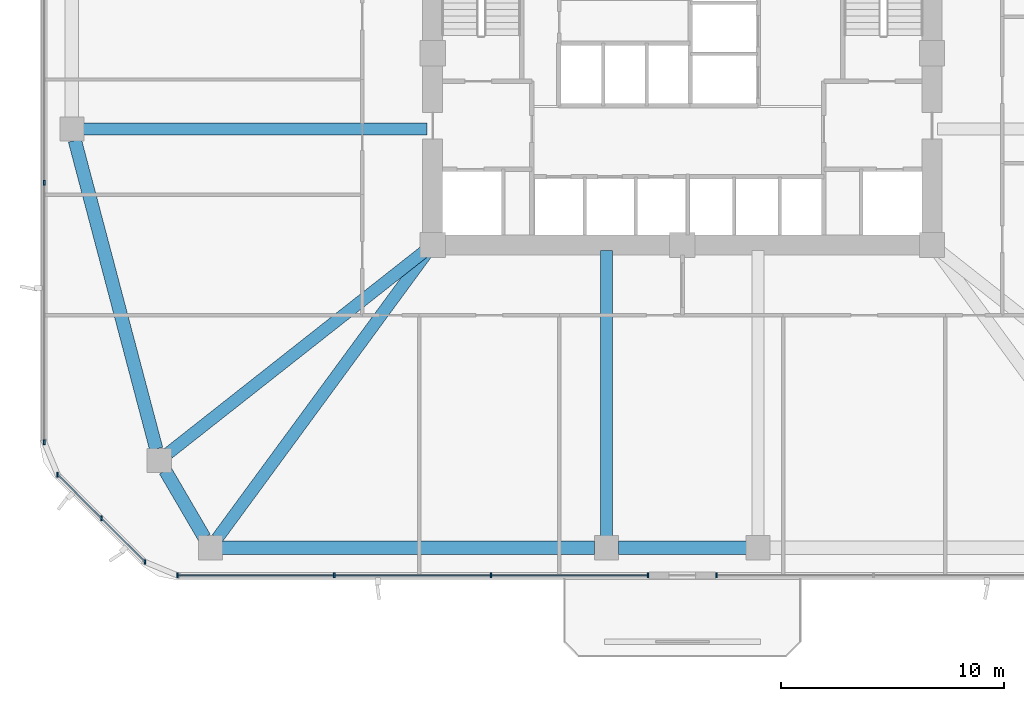
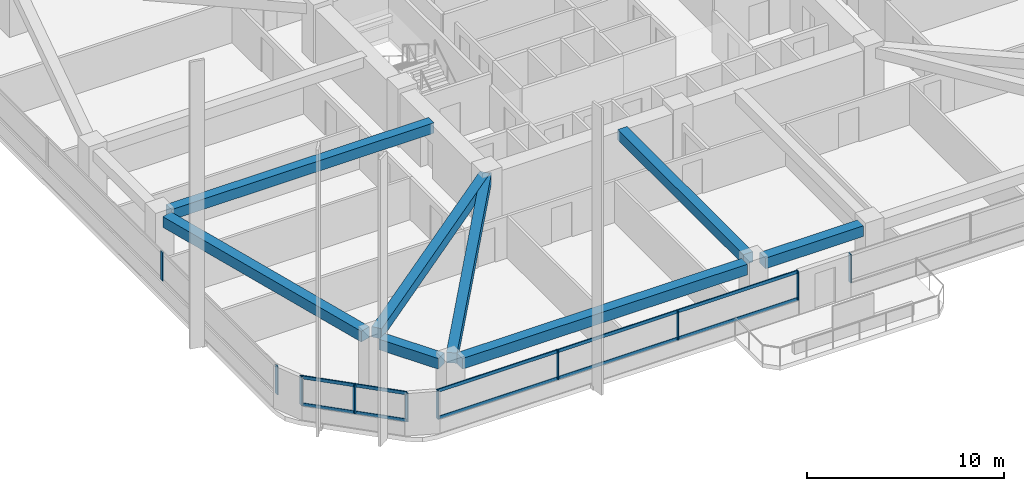
# One storey, part 2 of 17: 14 members, 8 beams, 4 elements without a shape of their own.
"""IFC4 building model written with IfcOpenShell, lengths in metres."""

from ifc_helpers import new_model, si_unit, derived_unit, direction, frame, origin, origin_2d, place, context, subcontext, project, spatial, rectangle, extrude, material, material_profile, profile_set, type_object, element, aggregate, save


model = new_model("IFC4")

# Units and contexts
model_context = context("Model", 3, precision=1e-05, world=origin(), true_north=direction((0.0, 1.0)))
body_context = subcontext(model_context, "Body", "Model", "MODEL_VIEW")
ifc_project = project(units=[si_unit("LENGTHUNIT", "METRE"), si_unit("AREAUNIT", "SQUARE_METRE"), si_unit("VOLUMEUNIT", "CUBIC_METRE"), si_unit("PLANEANGLEUNIT", "RADIAN"), si_unit("MASSUNIT", "GRAM", prefix="KILO"), derived_unit("THERMALTRANSMITTANCEUNIT", [(si_unit("POWERUNIT", "WATT"), 1), (si_unit("LENGTHUNIT", "METRE"), -2), (si_unit("THERMODYNAMICTEMPERATUREUNIT", "KELVIN"), -1)])], contexts=[model_context])

# Site, building, storey
site_placement = place(None, origin())
site = spatial("IfcSite", under=ifc_project, at=site_placement, CompositionType="ELEMENT")
building_placement = place(site_placement, origin())
building = spatial("IfcBuilding", under=site, at=building_placement, Name="Koralith Skygarden Medical Center", CompositionType="ELEMENT")
storey_placement = place(building_placement, frame((0.0, 0.0, 67.139892578125)))
storey = spatial("IfcBuildingStorey", under=building, at=storey_placement, Name="L17", CompositionType="ELEMENT", Elevation=67.139892578125)

# Curtain wall, members
ifc_material_1 = material(Name="Clear Laminated Glass", Category="glass")
curtain_wall_type = type_object("IfcCurtainWallType", Name="CW-2 Zone 1 Hurricane Unitised Curtain Wall", PredefinedType="NOTDEFINED", material=ifc_material_1)
curtain_wall_1_placement = place(storey_placement, origin())
curtain_wall_1 = element("IfcCurtainWall", 1, at=curtain_wall_1_placement, inside=storey, type_object=curtain_wall_type, Name="Curtain Wall CW-L17-S-L", PredefinedType="NOTDEFINED")
ifc_material_2 = material(Name="Aluminium 6063-T6", Category="aluminium")
ifc_material_profile_1 = material_profile(ifc_material_2, rectangle(XDim=0.071044921875, YDim=0.219970703125, at=origin_2d()), Name="MUL71X220")
ifc_profile_set_1 = profile_set([ifc_material_profile_1], Name="Aluminium 6063-T6")
member_type_1 = type_object("IfcMemberType", Name="CW-2 Extruded Mullion 71x220", PredefinedType="MULLION", material=ifc_profile_set_1)
member_1_placement = place(storey_placement, frame((14.35498046875, 2.47998046875, 0.85009765625), z_axis=(0.0, 0.0, 1.0), x_axis=(1.0, 0.0, 0.0)))
member_1 = element("IfcMember", 2, at=member_1_placement, type_object=member_type_1, Name="CW-L17-S-L Mullion 1", PredefinedType="MULLION", context=body_context, shape_type="SweptSolid", body=[
    extrude(rectangle(XDim=0.071044921875, YDim=0.219970703125, at=origin_2d()), origin(), (0.0, 0.0, 1.0), 1.780029296875),
])
member_2_placement = place(storey_placement, frame((21.389892578125, 2.47998046875, 0.85009765625), z_axis=(0.0, 0.0, 1.0), x_axis=(1.0, 0.0, 0.0)))
member_2 = element("IfcMember", 3, at=member_2_placement, type_object=member_type_1, Name="CW-L17-S-L Mullion 2", PredefinedType="MULLION", context=body_context, shape_type="SweptSolid", body=[
    extrude(rectangle(XDim=0.071044921875, YDim=0.219970703125, at=origin_2d()), origin(), (0.0, 0.0, 1.0), 1.780029296875),
])
member_3_placement = place(storey_placement, frame((28.425048828125, 2.47998046875, 0.85009765625), z_axis=(0.0, 0.0, 1.0), x_axis=(1.0, 0.0, 0.0)))
member_3 = element("IfcMember", 4, at=member_3_placement, type_object=member_type_1, Name="CW-L17-S-L Mullion 3", PredefinedType="MULLION", context=body_context, shape_type="SweptSolid", body=[
    extrude(rectangle(XDim=0.071044921875, YDim=0.219970703125, at=origin_2d()), origin(), (0.0, 0.0, 1.0), 1.780029296875),
])
member_4_placement = place(storey_placement, frame((35.4599609375, 2.47998046875, 0.85009765625), z_axis=(0.0, 0.0, 1.0), x_axis=(1.0, 0.0, 0.0)))
member_4 = element("IfcMember", 5, at=member_4_placement, type_object=member_type_1, Name="CW-L17-S-L Mullion 4", PredefinedType="MULLION", context=body_context, shape_type="SweptSolid", body=[
    extrude(rectangle(XDim=0.071044921875, YDim=0.219970703125, at=origin_2d()), origin(), (0.0, 0.0, 1.0), 1.780029296875),
])

# Curtain wall, member
curtain_wall_2_placement = place(storey_placement, origin())
curtain_wall_2 = element("IfcCurtainWall", 6, at=curtain_wall_2_placement, inside=storey, type_object=curtain_wall_type, Name="Curtain Wall CW-L17-S-R", PredefinedType="NOTDEFINED")
member_5_placement = place(storey_placement, frame((38.5400390625, 2.47998046875, 0.85009765625), z_axis=(0.0, 0.0, 1.0), x_axis=(1.0, 0.0, 0.0)))
member_5 = element("IfcMember", 7, at=member_5_placement, type_object=member_type_1, Name="CW-L17-S-R Mullion 1", PredefinedType="MULLION", context=body_context, shape_type="SweptSolid", body=[
    extrude(rectangle(XDim=0.071044921875, YDim=0.219970703125, at=origin_2d()), origin(), (0.0, 0.0, 1.0), 1.780029296875),
])
aggregate(curtain_wall_2, [member_5])

# Curtain wall, members
curtain_wall_3_placement = place(storey_placement, origin())
curtain_wall_3 = element("IfcCurtainWall", 8, at=curtain_wall_3_placement, inside=storey, type_object=curtain_wall_type, Name="Curtain Wall CW-L17-W", PredefinedType="NOTDEFINED")
member_6_placement = place(storey_placement, frame((8.3798828125, 20.0849609375, 0.85009765625), z_axis=(0.0, 0.0, 1.0), x_axis=(1.0, 0.0, 0.0)))
member_6 = element("IfcMember", 9, at=member_6_placement, type_object=member_type_1, Name="CW-L17-W Mullion 3", PredefinedType="MULLION", context=body_context, shape_type="SweptSolid", body=[
    extrude(rectangle(XDim=0.071044921875, YDim=0.219970703125, at=origin_2d()), origin(), (0.0, 0.0, 1.0), 1.780029296875),
])
member_7_placement = place(storey_placement, frame((8.3798828125, 8.455078125, 0.85009765625), z_axis=(0.0, 0.0, 1.0), x_axis=(1.0, 0.0, 0.0)))
member_7 = element("IfcMember", 10, at=member_7_placement, type_object=member_type_1, Name="CW-L17-W Mullion 4", PredefinedType="MULLION", context=body_context, shape_type="SweptSolid", body=[
    extrude(rectangle(XDim=0.071044921875, YDim=0.219970703125, at=origin_2d()), origin(), (0.0, 0.0, 1.0), 1.780029296875),
])
aggregate(curtain_wall_3, [member_6, member_7])

curtain_wall_4_placement = place(storey_placement, origin())
curtain_wall_4 = element("IfcCurtainWall", 11, at=curtain_wall_4_placement, inside=storey, type_object=curtain_wall_type, Name="Curtain Wall CW-L17-SW", PredefinedType="NOTDEFINED")
member_8_placement = place(storey_placement, frame((8.98095703125, 7.00390625, 0.85009765625), z_axis=(0.0, 0.0, 1.0), x_axis=(1.0, 0.0, 0.0)))
member_8 = element("IfcMember", 12, at=member_8_placement, type_object=member_type_1, Name="CW-L17-SW Mullion 1", PredefinedType="MULLION", context=body_context, shape_type="SweptSolid", body=[
    extrude(rectangle(XDim=0.071044921875, YDim=0.219970703125, at=origin_2d()), origin(), (0.0, 0.0, 1.0), 1.780029296875),
])
member_9_placement = place(storey_placement, frame((10.94189453125, 5.04296875, 0.85009765625), z_axis=(0.0, 0.0, 1.0), x_axis=(1.0, 0.0, 0.0)))
member_9 = element("IfcMember", 13, at=member_9_placement, type_object=member_type_1, Name="CW-L17-SW Mullion 2", PredefinedType="MULLION", context=body_context, shape_type="SweptSolid", body=[
    extrude(rectangle(XDim=0.071044921875, YDim=0.219970703125, at=origin_2d()), origin(), (0.0, 0.0, 1.0), 1.780029296875),
])
member_10_placement = place(storey_placement, frame((12.904052734375, 3.0810546875, 0.85009765625), z_axis=(0.0, 0.0, 1.0), x_axis=(1.0, 0.0, 0.0)))
member_10 = element("IfcMember", 14, at=member_10_placement, type_object=member_type_1, Name="CW-L17-SW Mullion 3", PredefinedType="MULLION", context=body_context, shape_type="SweptSolid", body=[
    extrude(rectangle(XDim=0.071044921875, YDim=0.219970703125, at=origin_2d()), origin(), (0.0, 0.0, 1.0), 1.780029296875),
])

# Member
ifc_material_profile_2 = material_profile(ifc_material_2, rectangle(XDim=0.06591796875, YDim=0.197998046875, at=origin_2d()), Name="TRN66X198")
ifc_profile_set_2 = profile_set([ifc_material_profile_2], Name="Aluminium 6063-T6")
member_type_2 = type_object("IfcMemberType", Name="CW-2 Thermal Transom 66x198", PredefinedType="USERDEFINED", material=ifc_profile_set_2)
member_11_placement = place(storey_placement, frame((14.35498046875, 2.47998046875, 0.900146484375), z_axis=(1.0, 0.0, 0.0), x_axis=(0.0, 1.0, 0.0)))
member_11 = element("IfcMember", 15, at=member_11_placement, type_object=member_type_2, Name="CW-L17-S-L Transom 1", ObjectType="TRANSOM", PredefinedType="USERDEFINED", context=body_context, shape_type="SweptSolid", body=[
    extrude(rectangle(XDim=0.06591796875, YDim=0.197998046875, at=origin_2d()), origin(), (0.0, 0.0, 1.0), 21.10498046875),
])

member_12_placement = place(storey_placement, frame((14.35498046875, 2.47998046875, 2.580078125), z_axis=(1.0, 0.0, 0.0), x_axis=(0.0, 1.0, 0.0)))
member_12 = element("IfcMember", 16, at=member_12_placement, type_object=member_type_2, Name="CW-L17-S-L Transom 2", ObjectType="TRANSOM", PredefinedType="USERDEFINED", context=body_context, shape_type="SweptSolid", body=[
    extrude(rectangle(XDim=0.06591796875, YDim=0.197998046875, at=origin_2d()), origin(), (0.0, 0.0, 1.0), 21.10498046875),
])

aggregate(curtain_wall_1, [member_1, member_2, member_3, member_4, member_11, member_12])

member_13_placement = place(storey_placement, frame((8.98095703125, 7.00390625, 0.900146484375), z_axis=(0.707128783731, -0.707084777957, 0.0), x_axis=(0.707084777957, 0.707128783731, 0.0)))
member_13 = element("IfcMember", 17, at=member_13_placement, type_object=member_type_2, Name="CW-L17-SW Transom 1", ObjectType="TRANSOM", PredefinedType="USERDEFINED", context=body_context, shape_type="SweptSolid", body=[
    extrude(rectangle(XDim=0.06591796875, YDim=0.197998046875, at=origin_2d()), origin(), (0.0, 0.0, 1.0), 5.5478515625),
])

member_14_placement = place(storey_placement, frame((8.98095703125, 7.00390625, 2.580078125), z_axis=(0.707128783731, -0.707084777957, 0.0), x_axis=(0.707084777957, 0.707128783731, 0.0)))
member_14 = element("IfcMember", 18, at=member_14_placement, type_object=member_type_2, Name="CW-L17-SW Transom 2", ObjectType="TRANSOM", PredefinedType="USERDEFINED", context=body_context, shape_type="SweptSolid", body=[
    extrude(rectangle(XDim=0.06591796875, YDim=0.197998046875, at=origin_2d()), origin(), (0.0, 0.0, 1.0), 5.5478515625),
])

aggregate(curtain_wall_4, [member_8, member_9, member_10, member_13, member_14])

# Beams
ifc_material_3 = material(Name="Concrete C45/55", Category="concrete")
ifc_material_profile_3 = material_profile(ifc_material_3, rectangle(XDim=0.550048828125, YDim=0.639892578125, at=origin_2d()), Name="RCB550X640")
ifc_profile_set_3 = profile_set([ifc_material_profile_3], Name="Concrete C45/55")
beam_type_1 = type_object("IfcBeamType", Name="Radial Collector Beam RCB550X640", PredefinedType="BEAM", material=ifc_profile_set_3)
beam_1_placement = place(storey_placement, frame((25.550048828125, 22.5, 2.980224609375), z_axis=(-1.0, 0.0, 0.0), x_axis=(0.0, -1.0, 0.0)))
element("IfcBeam", 19, at=beam_1_placement, inside=storey, type_object=beam_type_1, Name="L17 Radial Collector Beam RB-01", PredefinedType="BEAM", context=body_context, shape_type="SweptSolid", body=[
    extrude(rectangle(XDim=0.550048828125, YDim=0.639892578125, at=origin_2d()), origin(), (0.0, 0.0, 1.0), 15.400146484375),
])
beam_2_placement = place(storey_placement, frame((25.60400390625, 17.14501953125, 2.980224609375), z_axis=(-0.785497250365, -0.618865146594, 0.0), x_axis=(0.618865146594, -0.785497250365, 0.0)))
element("IfcBeam", 20, at=beam_2_placement, inside=storey, type_object=beam_type_1, Name="L17 Radial Collector Beam RB-02", PredefinedType="BEAM", context=body_context, shape_type="SweptSolid", body=[
    extrude(rectangle(XDim=0.550048828125, YDim=0.639892578125, at=origin_2d()), origin(), (0.0, 0.0, 1.0), 14.828857421875),
])
beam_3_placement = place(storey_placement, frame((25.652099609375, 17.097900390625, 2.980224609375), z_axis=(-0.591718052249, -0.806144991079, 0.0), x_axis=(0.806144991079, -0.591718052249, 0.0)))
element("IfcBeam", 21, at=beam_3_placement, inside=storey, type_object=beam_type_1, Name="L17 Radial Collector Beam RB-03", PredefinedType="BEAM", context=body_context, shape_type="SweptSolid", body=[
    extrude(rectangle(XDim=0.550048828125, YDim=0.639892578125, at=origin_2d()), origin(), (0.0, 0.0, 1.0), 16.065185546875),
])
beam_4_placement = place(storey_placement, frame((33.60009765625, 17.050048828125, 2.980224609375), z_axis=(0.0, -1.0, 0.0), x_axis=(1.0, 0.0, 0.0)))
element("IfcBeam", 22, at=beam_4_placement, inside=storey, type_object=beam_type_1, Name="L17 Radial Collector Beam RB-04", PredefinedType="BEAM", context=body_context, shape_type="SweptSolid", body=[
    extrude(rectangle(XDim=0.550048828125, YDim=0.639892578125, at=origin_2d()), origin(), (0.0, 0.0, 1.0), 12.800048828125),
])
ifc_material_profile_4 = material_profile(ifc_material_3, rectangle(XDim=0.60009765625, YDim=0.659912109375, at=origin_2d()), Name="RCB600X660")
ifc_profile_set_4 = profile_set([ifc_material_profile_4], Name="Concrete C45/55")
beam_type_2 = type_object("IfcBeamType", Name="Zone 1 Spandrel Beam RCB600X660", PredefinedType="SPANDREL", material=ifc_profile_set_4)
beam_5_placement = place(storey_placement, frame((9.7548828125, 21.988037109375, 2.97021484375), z_axis=(0.255088684842, -0.966917660851, 0.0), x_axis=(0.966917660851, 0.255088684842, 0.0)))
element("IfcBeam", 23, at=beam_5_placement, inside=storey, type_object=beam_type_2, Name="L17 Perimeter Spandrel Beam SP-01", PredefinedType="SPANDREL", context=body_context, shape_type="SweptSolid", body=[
    extrude(rectangle(XDim=0.60009765625, YDim=0.659912109375, at=origin_2d()), origin(), (0.0, 0.0, 1.0), 14.309326171875),
])
beam_6_placement = place(storey_placement, frame((13.80810546875, 7.181884765625, 2.97021484375), z_axis=(0.504638660636, -0.863330656349, 0.0), x_axis=(0.863330656349, 0.504638660636, 0.0)))
element("IfcBeam", 24, at=beam_6_placement, inside=storey, type_object=beam_type_2, Name="L17 Perimeter Spandrel Beam SP-02", PredefinedType="SPANDREL", context=body_context, shape_type="SweptSolid", body=[
    extrude(rectangle(XDim=0.60009765625, YDim=0.659912109375, at=origin_2d()), origin(), (0.0, 0.0, 1.0), 3.4794921875),
])
beam_7_placement = place(storey_placement, frame((16.362060546875, 3.719970703125, 2.97021484375), z_axis=(1.0, 0.0, 0.0), x_axis=(0.0, 1.0, 0.0)))
element("IfcBeam", 25, at=beam_7_placement, inside=storey, type_object=beam_type_2, Name="L17 Perimeter Spandrel Beam SP-03", PredefinedType="SPANDREL", context=body_context, shape_type="SweptSolid", body=[
    extrude(rectangle(XDim=0.60009765625, YDim=0.659912109375, at=origin_2d()), origin(), (0.0, 0.0, 1.0), 16.7080078125),
])
beam_8_placement = place(storey_placement, frame((34.1298828125, 3.719970703125, 2.97021484375), z_axis=(1.0, 0.0, 0.0), x_axis=(0.0, 1.0, 0.0)))
element("IfcBeam", 26, at=beam_8_placement, inside=storey, type_object=beam_type_2, Name="L17 Perimeter Spandrel Beam SP-04", PredefinedType="SPANDREL", context=body_context, shape_type="SweptSolid", body=[
    extrude(rectangle(XDim=0.60009765625, YDim=0.659912109375, at=origin_2d()), origin(), (0.0, 0.0, 1.0), 5.740234375),
])

save(model, "model.ifc")
